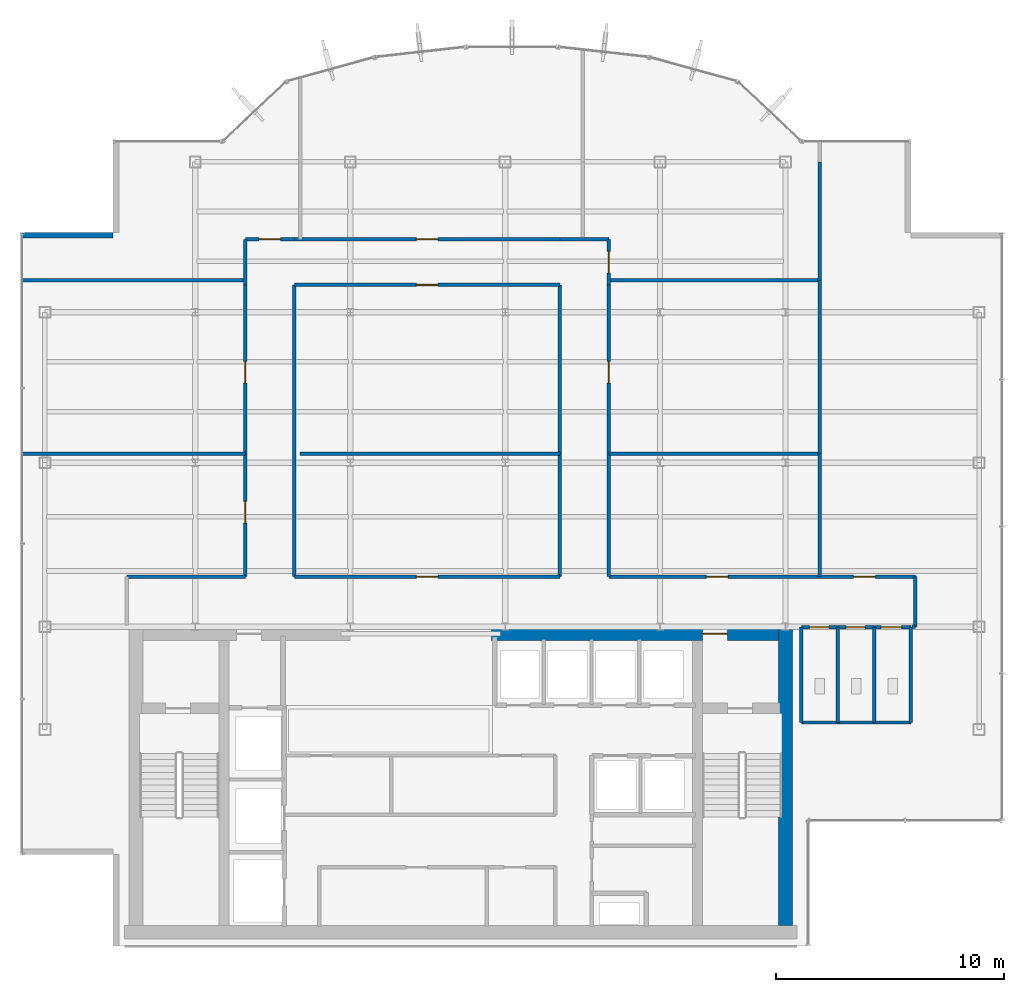
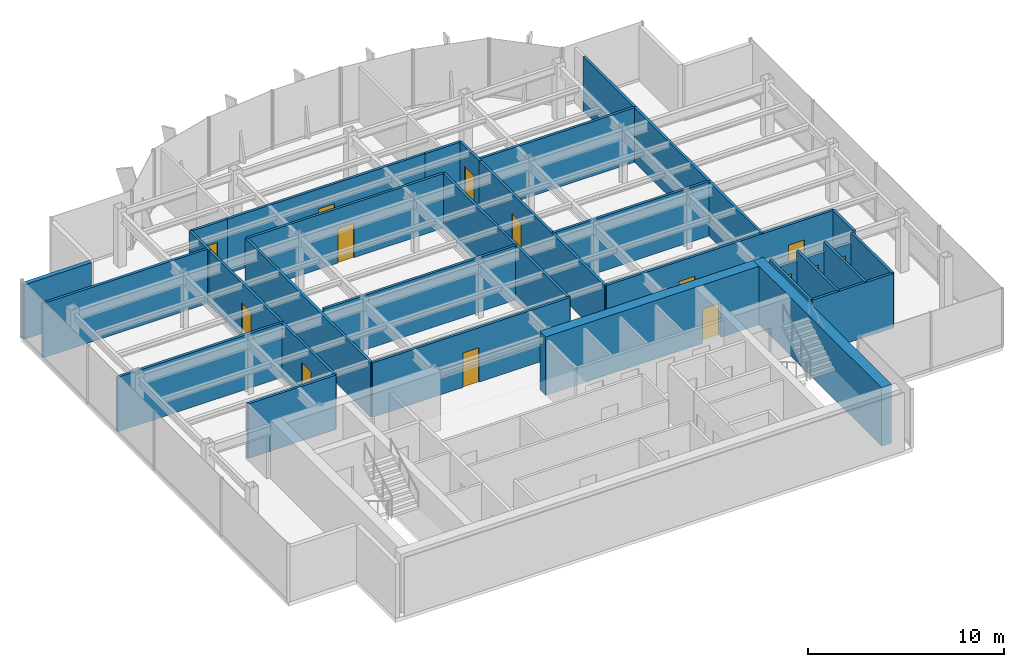
# One storey, part 18 of 22: 32 walls, 14 doors, 14 openings.
"""IFC4 building model written with IfcOpenShell, lengths in metres."""

from ifc_helpers import new_model, si_unit, derived_unit, direction, frame, frame_2d, origin, place, context, subcontext, project, spatial, rectangle, extrude, source, transform, mapped, material, layer, layer_set, type_object, element, fill, save


model = new_model("IFC4")

# Units and contexts
model_context = context("Model", 3, precision=1e-05, world=origin(), true_north=direction((0.0, 1.0)))
body_context = subcontext(model_context, "Body", "Model", "MODEL_VIEW")
ifc_project = project(units=[si_unit("LENGTHUNIT", "METRE"), si_unit("AREAUNIT", "SQUARE_METRE"), si_unit("VOLUMEUNIT", "CUBIC_METRE"), si_unit("PLANEANGLEUNIT", "RADIAN"), si_unit("MASSUNIT", "GRAM", prefix="KILO"), derived_unit("THERMALTRANSMITTANCEUNIT", [(si_unit("POWERUNIT", "WATT"), 1), (si_unit("LENGTHUNIT", "METRE"), -2), (si_unit("THERMODYNAMICTEMPERATUREUNIT", "KELVIN"), -1)])], contexts=[model_context])

# Site, building, storey
site_placement = place(None, origin())
site = spatial("IfcSite", under=ifc_project, at=site_placement, CompositionType="ELEMENT")
building_placement = place(site_placement, origin())
building = spatial("IfcBuilding", under=site, at=building_placement, Name="Skarnbrae Concourse Arena and Tower", CompositionType="ELEMENT")
storey_placement = place(building_placement, frame((0.0, 0.0, 277.050048828125)))
storey = spatial("IfcBuildingStorey", under=building, at=storey_placement, Name="L72", CompositionType="ELEMENT", Elevation=277.050048828125)

# Wall
ifc_material_1 = material(Name="Concrete 50 MPa (C50/60)", Category="concrete")
ifc_layer_1 = layer(ifc_material_1, 0.60009765625)
ifc_layer_set_1 = layer_set([ifc_layer_1], Name="Concrete 50 MPa (C50/60)")
wall_type_1 = type_object("IfcWallType", Name="WALL-CORE-600-C50", PredefinedType="SHEAR", material=ifc_layer_set_1)
shared_shape_1 = source(origin(), body_context, "Body", "SweptSolid", [
    extrude(rectangle(XDim=13.10009765625, YDim=0.60009765625, at=frame_2d((6.550048828125, 0.0))), origin(), (0.0, 0.0, 1.0), 3.64990234375),
])
wall_1_placement = place(storey_placement, frame((33.5, 0.89990234375, 0.0), z_axis=(0.0, 0.0, 1.0), x_axis=(0.0, 1.0, 0.0)))
element("IfcWall", 1, at=wall_1_placement, inside=storey, type_object=wall_type_1, Name="L72 Rear core shear wall CW-E", PredefinedType="SHEAR", context=body_context, shape_type="MappedRepresentation", body=[
    mapped(shared_shape_1, transform((0.0, 0.0, 0.0))),
])

# Wall, opening, door
shared_shape_2 = source(origin(), body_context, "Body", "SweptSolid", [
    extrude(rectangle(XDim=12.599853515625, YDim=0.60009765625, at=frame_2d((6.2998046875, 0.0))), origin(), (0.0, 0.0, 1.0), 3.64990234375),
])
wall_2_placement = place(storey_placement, frame((20.60009765625, 13.699951171875, 0.0), z_axis=(0.0, 0.0, 1.0), x_axis=(1.0, 0.0, 0.0)))
wall_2 = element("IfcWall", 2, at=wall_2_placement, inside=storey, type_object=wall_type_1, Name="L72 Rear core shear wall CW-NE", PredefinedType="SHEAR", context=body_context, shape_type="MappedRepresentation", body=[
    mapped(shared_shape_2, transform((0.0, 0.0, 0.0))),
])
opening_1_placement = place(wall_2_placement, frame((9.25, 0.0, 0.0)))
opening_1 = element("IfcOpeningElement", 3, at=opening_1_placement, cuts=wall_2, Name="Opening DT-03", PredefinedType="OPENING", context=body_context, shape_type="SweptSolid", body=[
    extrude(rectangle(XDim=1.10009765625, YDim=2.14990234375, at=frame_2d((0.550048828125, 1.074951171875))), frame((0.0, 0.31005859375, 0.0), z_axis=(0.0, -1.0, 0.0), x_axis=(1.0, 0.0, 0.0)), (0.0, 0.0, 1.0), 0.6201171875),
])
ifc_material_2 = material(Name="Steel CSA G40.21 350W", Category="steel")
door_type_1 = type_object("IfcDoorType", Name="DOOR-FIRE-1100-90M", OperationType="NOTDEFINED", PredefinedType="DOOR", material=ifc_material_2)
shared_shape_3 = source(origin(), body_context, "Body", "SweptSolid", [
    extrude(rectangle(XDim=1.10009765625, YDim=2.14990234375, at=frame_2d((0.550048828125, 1.074951171875))), frame((0.0, 0.02490234375, 0.0), z_axis=(0.0, -1.0, 0.0), x_axis=(1.0, 0.0, 0.0)), (0.0, 0.0, 1.0), 0.050048828125),
])
door_1_placement = place(opening_1_placement, origin())
door_1 = element("IfcDoor", 4, at=door_1_placement, inside=storey, type_object=door_type_1, Name="D-2173 Stair ST-2 Vestibule Door", OperationType="SINGLE_SWING_LEFT", OverallHeight=2.14990234375, OverallWidth=1.10009765625, PredefinedType="DOOR", context=body_context, shape_type="MappedRepresentation", body=[
    mapped(shared_shape_3, transform((0.0, 0.0, 0.0))),
])
fill(opening_1, door_1)

# Walls
ifc_material_3 = material(Name="Precast concrete 40 MPa (C40/50)", Category="concrete")
ifc_layer_2 = layer(ifc_material_3, 0.25)
ifc_layer_set_2 = layer_set([ifc_layer_2], Name="Precast concrete 40 MPa (C40/50)")
wall_type_2 = type_object("IfcWallType", Name="WALL-EXT-SPANDREL-250", PredefinedType="STANDARD", material=ifc_layer_set_2)
shared_shape_4 = source(origin(), body_context, "Body", "SweptSolid", [
    extrude(rectangle(XDim=4.0, YDim=0.25, at=frame_2d((2.0, 0.0))), origin(), (0.0, 0.0, 1.0), 3.39990234375),
])
wall_3_placement = place(storey_placement, frame((4.0, 31.175048828125, 0.0), z_axis=(0.0, 0.0, 1.0), x_axis=(-1.0, 0.0, 0.0)))
element("IfcWall", 5, at=wall_3_placement, inside=storey, type_object=wall_type_2, Name="L72 Notched corner insulated return wall 17", PredefinedType="STANDARD", context=body_context, shape_type="MappedRepresentation", body=[
    mapped(shared_shape_4, transform((0.0, 0.0, 0.0))),
])
ifc_material_4 = material(Name="Gypsum board on cold-formed steel studs", Category="steel")
ifc_layer_3 = layer(ifc_material_4, 0.14990234375)
ifc_layer_set_3 = layer_set([ifc_layer_3], Name="Gypsum board on cold-formed steel studs")
wall_type_3 = type_object("IfcWallType", Name="WALL-PART-150", PredefinedType="PARTITIONING", material=ifc_layer_set_3)
shared_shape_5 = source(origin(), body_context, "Body", "SweptSolid", [
    extrude(rectangle(XDim=4.800048828125, YDim=0.14990234375, at=frame_2d((2.39990234375, 0.0))), origin(), (0.0, 0.0, 1.0), 3.39990234375),
])
wall_4_placement = place(storey_placement, frame((34.199951171875, 9.800048828125, 0.0), z_axis=(0.0, 0.0, 1.0), x_axis=(1.0, 0.0, 0.0)))
element("IfcWall", 6, at=wall_4_placement, inside=storey, type_object=wall_type_3, Name="L72 Interior partition wall W-L72-WC-S", PredefinedType="PARTITIONING", context=body_context, shape_type="MappedRepresentation", body=[
    mapped(shared_shape_5, transform((0.0, 0.0, 0.0))),
])
shared_shape_6 = source(origin(), body_context, "Body", "SweptSolid", [
    extrude(rectangle(XDim=4.179931640625, YDim=0.14990234375, at=frame_2d((2.08984375, 0.0))), origin(), (0.0, 0.0, 1.0), 3.39990234375),
])
for number, where, z_axis, x_axis, name in (
    (7, (39.0, 9.800048828125, 0.0), (0.0, 0.0, 1.0), (0.0, 1.0, 0.0), "L72 Interior partition wall W-L72-WC-E"),
    (8, (34.199951171875, 9.800048828125, 0.0), (0.0, 0.0, 1.0), (0.0, 1.0, 0.0), "L72 Interior partition wall W-L72-WC-W"),
    (9, (35.800048828125, 9.800048828125, 0.0), (0.0, 0.0, 1.0), (0.0, 1.0, 0.0), "L72 Interior partition wall W-L72-WC-D1"),
    (10, (37.39990234375, 9.800048828125, 0.0), (0.0, 0.0, 1.0), (0.0, 1.0, 0.0), "L72 Interior partition wall W-L72-WC-D2"),
):
    element("IfcWall", number, at=place(storey_placement, frame(where, z_axis=z_axis, x_axis=x_axis)), inside=storey, type_object=wall_type_3, Name=name, PredefinedType="PARTITIONING", context=body_context, shape_type="MappedRepresentation", body=[
        mapped(shared_shape_6, transform((0.0, 0.0, 0.0))),
    ])
ifc_layer_4 = layer(ifc_material_4, 0.14990234375)
ifc_layer_set_4 = layer_set([ifc_layer_4], Name="Gypsum board on cold-formed steel studs")
wall_type_4 = type_object("IfcWallType", Name="WALL-PART-150-1HR", PredefinedType="PARTITIONING", material=ifc_layer_set_4)
shared_shape_7 = source(origin(), body_context, "Body", "SweptSolid", [
    extrude(rectangle(XDim=2.199951171875, YDim=0.14990234375, at=frame_2d((1.10009765625, 0.0))), origin(), (0.0, 0.0, 1.0), 3.39990234375),
])
wall_5_placement = place(storey_placement, frame((39.199951171875, 16.199951171875, 0.0), z_axis=(0.0, 0.0, 1.0), x_axis=(0.0, -1.0, 0.0)))
element("IfcWall", 11, at=wall_5_placement, inside=storey, type_object=wall_type_4, Name="L72 Interior partition wall W-L72-COR-11", PredefinedType="PARTITIONING", context=body_context, shape_type="MappedRepresentation", body=[
    mapped(shared_shape_7, transform((0.0, 0.0, 0.0))),
])
shared_shape_8 = source(origin(), body_context, "Body", "SweptSolid", [
    extrude(rectangle(XDim=5.199951171875, YDim=0.14990234375, at=frame_2d((2.60009765625, 0.0))), origin(), (0.0, 0.0, 1.0), 3.39990234375),
])
wall_6_placement = place(storey_placement, frame((4.60009765625, 16.199951171875, 0.0), z_axis=(0.0, 0.0, 1.0), x_axis=(1.0, 0.0, 0.0)))
element("IfcWall", 12, at=wall_6_placement, inside=storey, type_object=wall_type_4, Name="L72 Interior partition wall W-L72-COR-02", PredefinedType="PARTITIONING", context=body_context, shape_type="MappedRepresentation", body=[
    mapped(shared_shape_8, transform((0.0, 0.0, 0.0))),
])
wall_7_placement = place(storey_placement, frame((35.0, 34.39990234375, 0.0), z_axis=(0.0, 0.0, 1.0), x_axis=(0.0, -1.0, 0.0)))
element("IfcWall", 13, at=wall_7_placement, inside=storey, type_object=wall_type_3, Name="L72 Interior partition wall W-L72-DEM-29", PredefinedType="PARTITIONING", context=body_context, shape_type="MappedRepresentation", body=[
    mapped(shared_shape_8, transform((0.0, 0.0, 0.0))),
])

# Wall, openings, doors
shared_shape_9 = source(origin(), body_context, "Body", "SweptSolid", [
    extrude(rectangle(XDim=4.800048828125, YDim=0.14990234375, at=frame_2d((2.39990234375, 0.0))), origin(), (0.0, 0.0, 1.0), 2.786865234375),
])
wall_8_placement = place(storey_placement, frame((34.199951171875, 13.97998046875, 0.0), z_axis=(0.0, 0.0, 1.0), x_axis=(1.0, 0.0, 0.0)))
wall_8 = element("IfcWall", 14, at=wall_8_placement, inside=storey, type_object=wall_type_3, Name="L72 Interior partition wall W-L72-WC-N", PredefinedType="PARTITIONING", context=body_context, shape_type="MappedRepresentation", body=[
    mapped(shared_shape_9, transform((0.0, 0.0, 0.0))),
])
opening_2_placement = place(wall_8_placement, frame((0.35009765625, 0.0, 0.0)))
opening_2 = element("IfcOpeningElement", 15, at=opening_2_placement, cuts=wall_8, Name="Opening DT-06", PredefinedType="OPENING", context=body_context, shape_type="SweptSolid", body=[
    extrude(rectangle(XDim=0.85009765625, YDim=2.10009765625, at=frame_2d((0.425048828125, 1.050048828125))), frame((0.0, 0.0849609375, 0.0), z_axis=(0.0, -1.0, 0.0), x_axis=(1.0, 0.0, 0.0)), (0.0, 0.0, 1.0), 0.169921875),
])
opening_3_placement = place(wall_8_placement, frame((1.949951171875, 0.0, 0.0)))
opening_3 = element("IfcOpeningElement", 16, at=opening_3_placement, cuts=wall_8, Name="Opening DT-06", PredefinedType="OPENING", context=body_context, shape_type="SweptSolid", body=[
    extrude(rectangle(XDim=0.85009765625, YDim=2.10009765625, at=frame_2d((0.425048828125, 1.050048828125))), frame((0.0, 0.0849609375, 0.0), z_axis=(0.0, -1.0, 0.0), x_axis=(1.0, 0.0, 0.0)), (0.0, 0.0, 1.0), 0.169921875),
])
opening_4_placement = place(wall_8_placement, frame((3.5, 0.0, 0.0)))
opening_4 = element("IfcOpeningElement", 17, at=opening_4_placement, cuts=wall_8, Name="Opening DT-05", PredefinedType="OPENING", context=body_context, shape_type="SweptSolid", body=[
    extrude(rectangle(XDim=0.89990234375, YDim=2.10009765625, at=frame_2d((0.449951171875, 1.050048828125))), frame((0.0, 0.0849609375, 0.0), z_axis=(0.0, -1.0, 0.0), x_axis=(1.0, 0.0, 0.0)), (0.0, 0.0, 1.0), 0.169921875),
])
ifc_material_5 = material(Name="Architectural oak veneer timber leaf", Category="wood")
door_type_2 = type_object("IfcDoorType", Name="DOOR-INT-850", OperationType="NOTDEFINED", PredefinedType="DOOR", material=ifc_material_5)
shared_shape_10 = source(origin(), body_context, "Body", "SweptSolid", [
    extrude(rectangle(XDim=0.85009765625, YDim=2.10009765625, at=frame_2d((0.425048828125, 1.050048828125))), frame((0.0, 0.02490234375, 0.0), z_axis=(0.0, -1.0, 0.0), x_axis=(1.0, 0.0, 0.0)), (0.0, 0.0, 1.0), 0.050048828125),
])
door_2_placement = place(opening_2_placement, frame((0.85009765625, 0.0, 0.0), z_axis=(0.0, 0.0, 1.0), x_axis=(-1.0, 0.0, 0.0)))
door_2 = element("IfcDoor", 18, at=door_2_placement, inside=storey, type_object=door_type_2, Name="D-2189 Male Washroom Door", OperationType="SINGLE_SWING_LEFT", OverallHeight=2.10009765625, OverallWidth=0.85009765625, PredefinedType="DOOR", context=body_context, shape_type="MappedRepresentation", body=[
    mapped(shared_shape_10, transform((0.0, 0.0, 0.0))),
])
fill(opening_2, door_2)
door_3_placement = place(opening_3_placement, frame((0.85009765625, 0.0, 0.0), z_axis=(0.0, 0.0, 1.0), x_axis=(-1.0, 0.0, 0.0)))
door_3 = element("IfcDoor", 19, at=door_3_placement, inside=storey, type_object=door_type_2, Name="D-2190 Female Washroom Door", OperationType="SINGLE_SWING_RIGHT", OverallHeight=2.10009765625, OverallWidth=0.85009765625, PredefinedType="DOOR", context=body_context, shape_type="MappedRepresentation", body=[
    mapped(shared_shape_10, transform((0.0, 0.0, 0.0))),
])
fill(opening_3, door_3)
door_type_3 = type_object("IfcDoorType", Name="DOOR-INT-900", OperationType="NOTDEFINED", PredefinedType="DOOR", material=ifc_material_5)
shared_shape_11 = source(origin(), body_context, "Body", "SweptSolid", [
    extrude(rectangle(XDim=0.89990234375, YDim=2.10009765625, at=frame_2d((0.449951171875, 1.050048828125))), frame((0.0, 0.02490234375, 0.0), z_axis=(0.0, -1.0, 0.0), x_axis=(1.0, 0.0, 0.0)), (0.0, 0.0, 1.0), 0.050048828125),
])
door_4_placement = place(opening_4_placement, frame((0.89990234375, 0.0, 0.0), z_axis=(0.0, 0.0, 1.0), x_axis=(-1.0, 0.0, 0.0)))
door_4 = element("IfcDoor", 20, at=door_4_placement, inside=storey, type_object=door_type_3, Name="D-2191 Accessible WC Door", OperationType="SINGLE_SWING_LEFT", OverallHeight=2.10009765625, OverallWidth=0.89990234375, PredefinedType="DOOR", context=body_context, shape_type="MappedRepresentation", body=[
    mapped(shared_shape_11, transform((0.0, 0.0, 0.0))),
])
fill(opening_4, door_4)

# Wall
shared_shape_12 = source(origin(), body_context, "Body", "SweptSolid", [
    extrude(rectangle(XDim=0.14990234375, YDim=0.14990234375, at=frame_2d((0.074951171875, 0.0))), origin(), (0.0, 0.0, 1.0), 3.39990234375),
])
wall_9_placement = place(storey_placement, frame((39.199951171875, 14.0, 0.0), z_axis=(0.0, 0.0, 1.0), x_axis=(-1.0, 0.0, 0.0)))
element("IfcWall", 21, at=wall_9_placement, inside=storey, type_object=wall_type_4, Name="L72 Interior partition wall W-L72-COR-12", PredefinedType="PARTITIONING", context=body_context, shape_type="MappedRepresentation", body=[
    mapped(shared_shape_12, transform((0.0, 0.0, 0.0))),
])

# Wall, openings, doors
shared_shape_13 = source(origin(), body_context, "Body", "SweptSolid", [
    extrude(rectangle(XDim=12.800048828125, YDim=0.14990234375, at=frame_2d((6.39990234375, 0.0))), origin(), (0.0, 0.0, 1.0), 3.39990234375),
])
wall_10_placement = place(storey_placement, frame((9.800048828125, 16.199951171875, 0.0), z_axis=(0.0, 0.0, 1.0), x_axis=(0.0, 1.0, 0.0)))
wall_10 = element("IfcWall", 22, at=wall_10_placement, inside=storey, type_object=wall_type_4, Name="L72 Interior partition wall W-L72-COR-03", PredefinedType="PARTITIONING", context=body_context, shape_type="MappedRepresentation", body=[
    mapped(shared_shape_13, transform((0.0, 0.0, 0.0))),
])
opening_5_placement = place(wall_10_placement, frame((2.35498046875, 0.0, 0.0)))
opening_5 = element("IfcOpeningElement", 23, at=opening_5_placement, cuts=wall_10, Name="Opening DT-04", PredefinedType="OPENING", context=body_context, shape_type="SweptSolid", body=[
    extrude(rectangle(XDim=0.949951171875, YDim=2.14990234375, at=frame_2d((0.47509765625, 1.074951171875))), frame((0.0, 0.0849609375, 0.0), z_axis=(0.0, -1.0, 0.0), x_axis=(1.0, 0.0, 0.0)), (0.0, 0.0, 1.0), 0.169921875),
])
opening_6_placement = place(wall_10_placement, frame((8.4951171875, 0.0, 0.0)))
opening_6 = element("IfcOpeningElement", 24, at=opening_6_placement, cuts=wall_10, Name="Opening DT-04", PredefinedType="OPENING", context=body_context, shape_type="SweptSolid", body=[
    extrude(rectangle(XDim=0.949951171875, YDim=2.14990234375, at=frame_2d((0.47509765625, 1.074951171875))), frame((0.0, 0.0849609375, 0.0), z_axis=(0.0, -1.0, 0.0), x_axis=(1.0, 0.0, 0.0)), (0.0, 0.0, 1.0), 0.169921875),
])
door_type_4 = type_object("IfcDoorType", Name="DOOR-INT-950-45M", OperationType="NOTDEFINED", PredefinedType="DOOR", material=ifc_material_2)
shared_shape_14 = source(origin(), body_context, "Body", "SweptSolid", [
    extrude(rectangle(XDim=0.949951171875, YDim=2.14990234375, at=frame_2d((0.47509765625, 1.074951171875))), frame((0.0, 0.02490234375, 0.0), z_axis=(0.0, -1.0, 0.0), x_axis=(1.0, 0.0, 0.0)), (0.0, 0.0, 1.0), 0.050048828125),
])
door_5_placement = place(opening_5_placement, origin())
door_5 = element("IfcDoor", 25, at=door_5_placement, inside=storey, type_object=door_type_4, Name="D-2192 L72 Suite Door 01", OperationType="SINGLE_SWING_RIGHT", OverallHeight=2.14990234375, OverallWidth=0.949951171875, PredefinedType="DOOR", context=body_context, shape_type="MappedRepresentation", body=[
    mapped(shared_shape_14, transform((0.0, 0.0, 0.0))),
])
fill(opening_5, door_5)
door_6_placement = place(opening_6_placement, origin())
door_6 = element("IfcDoor", 26, at=door_6_placement, inside=storey, type_object=door_type_4, Name="D-2193 L72 Suite Door 02", OperationType="SINGLE_SWING_LEFT", OverallHeight=2.14990234375, OverallWidth=0.949951171875, PredefinedType="DOOR", context=body_context, shape_type="MappedRepresentation", body=[
    mapped(shared_shape_14, transform((0.0, 0.0, 0.0))),
])
fill(opening_6, door_6)

# Wall, opening, door
wall_11_placement = place(storey_placement, frame((25.75, 29.0, 0.0), z_axis=(0.0, 0.0, 1.0), x_axis=(0.0, -1.0, 0.0)))
wall_11 = element("IfcWall", 27, at=wall_11_placement, inside=storey, type_object=wall_type_4, Name="L72 Interior partition wall W-L72-COR-09", PredefinedType="PARTITIONING", context=body_context, shape_type="MappedRepresentation", body=[
    mapped(shared_shape_13, transform((0.0, 0.0, 0.0))),
])
opening_7_placement = place(wall_11_placement, frame((3.35498046875, 0.0, 0.0)))
opening_7 = element("IfcOpeningElement", 28, at=opening_7_placement, cuts=wall_11, Name="Opening DT-04", PredefinedType="OPENING", context=body_context, shape_type="SweptSolid", body=[
    extrude(rectangle(XDim=0.949951171875, YDim=2.14990234375, at=frame_2d((0.47509765625, 1.074951171875))), frame((0.0, 0.0849609375, 0.0), z_axis=(0.0, -1.0, 0.0), x_axis=(1.0, 0.0, 0.0)), (0.0, 0.0, 1.0), 0.169921875),
])
door_7_placement = place(opening_7_placement, origin())
door_7 = element("IfcDoor", 29, at=door_7_placement, inside=storey, type_object=door_type_4, Name="D-2200 L72 Suite Door 09", OperationType="SINGLE_SWING_RIGHT", OverallHeight=2.14990234375, OverallWidth=0.949951171875, PredefinedType="DOOR", context=body_context, shape_type="MappedRepresentation", body=[
    mapped(shared_shape_14, transform((0.0, 0.0, 0.0))),
])
fill(opening_7, door_7)

# Walls
for number, where, z_axis, x_axis, name in (
    (30, (23.60009765625, 16.199951171875, 0.0), (0.0, 0.0, 1.0), (0.0, 1.0, 0.0), "L72 Interior partition wall W-L72-COR-14"),
    (31, (11.949951171875, 29.0, 0.0), (0.0, 0.0, 1.0), (0.0, -1.0, 0.0), "L72 Interior partition wall W-L72-COR-16"),
):
    element("IfcWall", number, at=place(storey_placement, frame(where, z_axis=z_axis, x_axis=x_axis)), inside=storey, type_object=wall_type_4, Name=name, PredefinedType="PARTITIONING", context=body_context, shape_type="MappedRepresentation", body=[
        mapped(shared_shape_13, transform((0.0, 0.0, 0.0))),
    ])
shared_shape_15 = source(origin(), body_context, "Body", "SweptSolid", [
    extrude(rectangle(XDim=11.400146484375, YDim=0.14990234375, at=frame_2d((5.7001953125, 0.0))), origin(), (0.0, 0.0, 1.0), 3.39990234375),
])
wall_12_placement = place(storey_placement, frame((23.60009765625, 21.60009765625, 0.0), z_axis=(0.0, 0.0, 1.0), x_axis=(-1.0, 0.0, 0.0)))
element("IfcWall", 32, at=wall_12_placement, inside=storey, type_object=wall_type_3, Name="L72 Interior partition wall W-L72-DEM-19", PredefinedType="PARTITIONING", context=body_context, shape_type="MappedRepresentation", body=[
    mapped(shared_shape_15, transform((0.0, 0.0, 0.0))),
])
shared_shape_16 = source(origin(), body_context, "Body", "SweptSolid", [
    extrude(rectangle(XDim=2.0, YDim=0.14990234375, at=frame_2d((1.0, 0.0))), origin(), (0.0, 0.0, 1.0), 3.39990234375),
])
wall_13_placement = place(storey_placement, frame((9.800048828125, 29.0, 0.0), z_axis=(0.0, 0.0, 1.0), x_axis=(0.0, 1.0, 0.0)))
element("IfcWall", 33, at=wall_13_placement, inside=storey, type_object=wall_type_4, Name="L72 Interior partition wall W-L72-COR-04", PredefinedType="PARTITIONING", context=body_context, shape_type="MappedRepresentation", body=[
    mapped(shared_shape_16, transform((0.0, 0.0, 0.0))),
])

# Wall, opening, door
wall_14_placement = place(storey_placement, frame((25.75, 31.0, 0.0), z_axis=(0.0, 0.0, 1.0), x_axis=(0.0, -1.0, 0.0)))
wall_14 = element("IfcWall", 34, at=wall_14_placement, inside=storey, type_object=wall_type_4, Name="L72 Interior partition wall W-L72-COR-08", PredefinedType="PARTITIONING", context=body_context, shape_type="MappedRepresentation", body=[
    mapped(shared_shape_16, transform((0.0, 0.0, 0.0))),
])
opening_8_placement = place(wall_14_placement, frame((0.52490234375, 0.0, 0.0)))
opening_8 = element("IfcOpeningElement", 35, at=opening_8_placement, cuts=wall_14, Name="Opening DT-04", PredefinedType="OPENING", context=body_context, shape_type="SweptSolid", body=[
    extrude(rectangle(XDim=0.949951171875, YDim=2.14990234375, at=frame_2d((0.47509765625, 1.074951171875))), frame((0.0, 0.0849609375, 0.0), z_axis=(0.0, -1.0, 0.0), x_axis=(1.0, 0.0, 0.0)), (0.0, 0.0, 1.0), 0.169921875),
])
door_8_placement = place(opening_8_placement, origin())
door_8 = element("IfcDoor", 36, at=door_8_placement, inside=storey, type_object=door_type_4, Name="D-2198 L72 Suite Door 07", OperationType="SINGLE_SWING_RIGHT", OverallHeight=2.14990234375, OverallWidth=0.949951171875, PredefinedType="DOOR", context=body_context, shape_type="MappedRepresentation", body=[
    mapped(shared_shape_14, transform((0.0, 0.0, 0.0))),
])
fill(opening_8, door_8)

# Wall
shared_shape_17 = source(origin(), body_context, "Body", "SweptSolid", [
    extrude(rectangle(XDim=7.599853515625, YDim=0.14990234375, at=frame_2d((3.7998046875, 0.0))), origin(), (0.0, 0.0, 1.0), 3.39990234375),
])
wall_15_placement = place(storey_placement, frame((35.0, 29.199951171875, 0.0), z_axis=(0.0, 0.0, 1.0), x_axis=(0.0, -1.0, 0.0)))
element("IfcWall", 37, at=wall_15_placement, inside=storey, type_object=wall_type_3, Name="L72 Interior partition wall W-L72-DEM-27", PredefinedType="PARTITIONING", context=body_context, shape_type="MappedRepresentation", body=[
    mapped(shared_shape_17, transform((0.0, 0.0, 0.0))),
])

# Wall, opening, door
shared_shape_18 = source(origin(), body_context, "Body", "SweptSolid", [
    extrude(rectangle(XDim=2.14990234375, YDim=0.14990234375, at=frame_2d((1.074951171875, 0.0))), origin(), (0.0, 0.0, 1.0), 3.39990234375),
])
wall_16_placement = place(storey_placement, frame((9.800048828125, 31.0, 0.0), z_axis=(0.0, 0.0, 1.0), x_axis=(1.0, 0.0, 0.0)))
wall_16 = element("IfcWall", 38, at=wall_16_placement, inside=storey, type_object=wall_type_4, Name="L72 Interior partition wall W-L72-COR-05", PredefinedType="PARTITIONING", context=body_context, shape_type="MappedRepresentation", body=[
    mapped(shared_shape_18, transform((0.0, 0.0, 0.0))),
])
opening_9_placement = place(wall_16_placement, frame((0.60009765625, 0.0, 0.0)))
opening_9 = element("IfcOpeningElement", 39, at=opening_9_placement, cuts=wall_16, Name="Opening DT-04", PredefinedType="OPENING", context=body_context, shape_type="SweptSolid", body=[
    extrude(rectangle(XDim=0.949951171875, YDim=2.14990234375, at=frame_2d((0.47509765625, 1.074951171875))), frame((0.0, 0.0849609375, 0.0), z_axis=(0.0, -1.0, 0.0), x_axis=(1.0, 0.0, 0.0)), (0.0, 0.0, 1.0), 0.169921875),
])
door_9_placement = place(opening_9_placement, origin())
door_9 = element("IfcDoor", 40, at=door_9_placement, inside=storey, type_object=door_type_4, Name="D-2194 L72 Suite Door 03", OperationType="SINGLE_SWING_RIGHT", OverallHeight=2.14990234375, OverallWidth=0.949951171875, PredefinedType="DOOR", context=body_context, shape_type="MappedRepresentation", body=[
    mapped(shared_shape_14, transform((0.0, 0.0, 0.0))),
])
fill(opening_9, door_9)

# Walls
wall_17_placement = place(storey_placement, frame((23.60009765625, 31.0, 0.0), z_axis=(0.0, 0.0, 1.0), x_axis=(1.0, 0.0, 0.0)))
element("IfcWall", 41, at=wall_17_placement, inside=storey, type_object=wall_type_4, Name="L72 Interior partition wall W-L72-COR-07", PredefinedType="PARTITIONING", context=body_context, shape_type="MappedRepresentation", body=[
    mapped(shared_shape_18, transform((0.0, 0.0, 0.0))),
])
shared_shape_19 = source(origin(), body_context, "Body", "SweptSolid", [
    extrude(rectangle(XDim=9.780029296875, YDim=0.14990234375, at=frame_2d((4.89013671875, 0.0))), origin(), (0.0, 0.0, 1.0), 3.39990234375),
])
for number, where, z_axis, x_axis, name in (
    (42, (0.02001953125, 21.60009765625, 0.0), (0.0, 0.0, 1.0), (1.0, 0.0, 0.0), "L72 Interior partition wall W-L72-DEM-17"),
    (43, (0.02001953125, 29.199951171875, 0.0), (0.0, 0.0, 1.0), (1.0, 0.0, 0.0), "L72 Interior partition wall W-L72-DEM-18"),
):
    element("IfcWall", number, at=place(storey_placement, frame(where, z_axis=z_axis, x_axis=x_axis)), inside=storey, type_object=wall_type_3, Name=name, PredefinedType="PARTITIONING", context=body_context, shape_type="MappedRepresentation", body=[
        mapped(shared_shape_19, transform((0.0, 0.0, 0.0))),
    ])

# Wall, opening, door
shared_shape_20 = source(origin(), body_context, "Body", "SweptSolid", [
    extrude(rectangle(XDim=11.650146484375, YDim=0.14990234375, at=frame_2d((5.8251953125, 0.0))), origin(), (0.0, 0.0, 1.0), 3.39990234375),
])
wall_18_placement = place(storey_placement, frame((11.949951171875, 31.0, 0.0), z_axis=(0.0, 0.0, 1.0), x_axis=(1.0, 0.0, 0.0)))
wall_18 = element("IfcWall", 44, at=wall_18_placement, inside=storey, type_object=wall_type_4, Name="L72 Interior partition wall W-L72-COR-06", PredefinedType="PARTITIONING", context=body_context, shape_type="MappedRepresentation", body=[
    mapped(shared_shape_20, transform((0.0, 0.0, 0.0))),
])
opening_10_placement = place(wall_18_placement, frame((5.35009765625, 0.0, 0.0)))
opening_10 = element("IfcOpeningElement", 45, at=opening_10_placement, cuts=wall_18, Name="Opening DT-04", PredefinedType="OPENING", context=body_context, shape_type="SweptSolid", body=[
    extrude(rectangle(XDim=0.949951171875, YDim=2.14990234375, at=frame_2d((0.47509765625, 1.074951171875))), frame((0.0, 0.0849609375, 0.0), z_axis=(0.0, -1.0, 0.0), x_axis=(1.0, 0.0, 0.0)), (0.0, 0.0, 1.0), 0.169921875),
])
door_10_placement = place(opening_10_placement, origin())
door_10 = element("IfcDoor", 46, at=door_10_placement, inside=storey, type_object=door_type_4, Name="D-2197 L72 Suite Door 06", OperationType="SINGLE_SWING_LEFT", OverallHeight=2.14990234375, OverallWidth=0.949951171875, PredefinedType="DOOR", context=body_context, shape_type="MappedRepresentation", body=[
    mapped(shared_shape_14, transform((0.0, 0.0, 0.0))),
])
fill(opening_10, door_10)

wall_19_placement = place(storey_placement, frame((11.949951171875, 16.199951171875, 0.0), z_axis=(0.0, 0.0, 1.0), x_axis=(1.0, 0.0, 0.0)))
wall_19 = element("IfcWall", 47, at=wall_19_placement, inside=storey, type_object=wall_type_4, Name="L72 Interior partition wall W-L72-COR-13", PredefinedType="PARTITIONING", context=body_context, shape_type="MappedRepresentation", body=[
    mapped(shared_shape_20, transform((0.0, 0.0, 0.0))),
])
opening_11_placement = place(wall_19_placement, frame((5.35009765625, 0.0, 0.0)))
opening_11 = element("IfcOpeningElement", 48, at=opening_11_placement, cuts=wall_19, Name="Opening DT-04", PredefinedType="OPENING", context=body_context, shape_type="SweptSolid", body=[
    extrude(rectangle(XDim=0.949951171875, YDim=2.14990234375, at=frame_2d((0.47509765625, 1.074951171875))), frame((0.0, 0.0849609375, 0.0), z_axis=(0.0, -1.0, 0.0), x_axis=(1.0, 0.0, 0.0)), (0.0, 0.0, 1.0), 0.169921875),
])
door_11_placement = place(opening_11_placement, origin())
door_11 = element("IfcDoor", 49, at=door_11_placement, inside=storey, type_object=door_type_4, Name="D-2196 L72 Suite Door 05", OperationType="SINGLE_SWING_RIGHT", OverallHeight=2.14990234375, OverallWidth=0.949951171875, PredefinedType="DOOR", context=body_context, shape_type="MappedRepresentation", body=[
    mapped(shared_shape_14, transform((0.0, 0.0, 0.0))),
])
fill(opening_11, door_11)

wall_20_placement = place(storey_placement, frame((23.60009765625, 29.0, 0.0), z_axis=(0.0, 0.0, 1.0), x_axis=(-1.0, 0.0, 0.0)))
wall_20 = element("IfcWall", 50, at=wall_20_placement, inside=storey, type_object=wall_type_4, Name="L72 Interior partition wall W-L72-COR-15", PredefinedType="PARTITIONING", context=body_context, shape_type="MappedRepresentation", body=[
    mapped(shared_shape_20, transform((0.0, 0.0, 0.0))),
])
opening_12_placement = place(wall_20_placement, frame((5.35009765625, 0.0, 0.0)))
opening_12 = element("IfcOpeningElement", 51, at=opening_12_placement, cuts=wall_20, Name="Opening DT-04", PredefinedType="OPENING", context=body_context, shape_type="SweptSolid", body=[
    extrude(rectangle(XDim=0.949951171875, YDim=2.14990234375, at=frame_2d((0.47509765625, 1.074951171875))), frame((0.0, 0.0849609375, 0.0), z_axis=(0.0, -1.0, 0.0), x_axis=(1.0, 0.0, 0.0)), (0.0, 0.0, 1.0), 0.169921875),
])
door_12_placement = place(opening_12_placement, origin())
door_12 = element("IfcDoor", 52, at=door_12_placement, inside=storey, type_object=door_type_4, Name="D-2195 L72 Suite Door 04", OperationType="SINGLE_SWING_LEFT", OverallHeight=2.14990234375, OverallWidth=0.949951171875, PredefinedType="DOOR", context=body_context, shape_type="MappedRepresentation", body=[
    mapped(shared_shape_14, transform((0.0, 0.0, 0.0))),
])
fill(opening_12, door_12)

# Wall, openings, doors
shared_shape_21 = source(origin(), body_context, "Body", "SweptSolid", [
    extrude(rectangle(XDim=13.449951171875, YDim=0.14990234375, at=frame_2d((6.72509765625, 0.0))), origin(), (0.0, 0.0, 1.0), 3.39990234375),
])
wall_21_placement = place(storey_placement, frame((25.75, 16.199951171875, 0.0), z_axis=(0.0, 0.0, 1.0), x_axis=(1.0, 0.0, 0.0)))
wall_21 = element("IfcWall", 53, at=wall_21_placement, inside=storey, type_object=wall_type_4, Name="L72 Interior partition wall W-L72-COR-10", PredefinedType="PARTITIONING", context=body_context, shape_type="MappedRepresentation", body=[
    mapped(shared_shape_21, transform((0.0, 0.0, 0.0))),
])
opening_13_placement = place(wall_21_placement, frame((4.280029296875, 0.0, 0.0)))
opening_13 = element("IfcOpeningElement", 54, at=opening_13_placement, cuts=wall_21, Name="Opening DT-04", PredefinedType="OPENING", context=body_context, shape_type="SweptSolid", body=[
    extrude(rectangle(XDim=0.949951171875, YDim=2.14990234375, at=frame_2d((0.47509765625, 1.074951171875))), frame((0.0, 0.0849609375, 0.0), z_axis=(0.0, -1.0, 0.0), x_axis=(1.0, 0.0, 0.0)), (0.0, 0.0, 1.0), 0.169921875),
])
opening_14_placement = place(wall_21_placement, frame((10.7451171875, 0.0, 0.0)))
opening_14 = element("IfcOpeningElement", 55, at=opening_14_placement, cuts=wall_21, Name="Opening DT-04", PredefinedType="OPENING", context=body_context, shape_type="SweptSolid", body=[
    extrude(rectangle(XDim=0.949951171875, YDim=2.14990234375, at=frame_2d((0.47509765625, 1.074951171875))), frame((0.0, 0.0849609375, 0.0), z_axis=(0.0, -1.0, 0.0), x_axis=(1.0, 0.0, 0.0)), (0.0, 0.0, 1.0), 0.169921875),
])
door_13_placement = place(opening_13_placement, origin())
door_13 = element("IfcDoor", 56, at=door_13_placement, inside=storey, type_object=door_type_4, Name="D-2199 L72 Suite Door 08", OperationType="SINGLE_SWING_LEFT", OverallHeight=2.14990234375, OverallWidth=0.949951171875, PredefinedType="DOOR", context=body_context, shape_type="MappedRepresentation", body=[
    mapped(shared_shape_14, transform((0.0, 0.0, 0.0))),
])
fill(opening_13, door_13)
door_14_placement = place(opening_14_placement, origin())
door_14 = element("IfcDoor", 57, at=door_14_placement, inside=storey, type_object=door_type_4, Name="D-2201 L72 Suite Door 10", OperationType="SINGLE_SWING_LEFT", OverallHeight=2.14990234375, OverallWidth=0.949951171875, PredefinedType="DOOR", context=body_context, shape_type="MappedRepresentation", body=[
    mapped(shared_shape_14, transform((0.0, 0.0, 0.0))),
])
fill(opening_14, door_14)

# Walls
shared_shape_22 = source(origin(), body_context, "Body", "SweptSolid", [
    extrude(rectangle(XDim=9.25, YDim=0.14990234375, at=frame_2d((4.625, 0.0))), origin(), (0.0, 0.0, 1.0), 3.39990234375),
])
for number, where, z_axis, x_axis, name in (
    (58, (25.75, 21.60009765625, 0.0), (0.0, 0.0, 1.0), (1.0, 0.0, 0.0), "L72 Interior partition wall W-L72-DEM-24"),
    (59, (35.0, 29.199951171875, 0.0), (0.0, 0.0, 1.0), (-1.0, 0.0, 0.0), "L72 Interior partition wall W-L72-DEM-25"),
):
    element("IfcWall", number, at=place(storey_placement, frame(where, z_axis=z_axis, x_axis=x_axis)), inside=storey, type_object=wall_type_3, Name=name, PredefinedType="PARTITIONING", context=body_context, shape_type="MappedRepresentation", body=[
        mapped(shared_shape_22, transform((0.0, 0.0, 0.0))),
    ])
shared_shape_23 = source(origin(), body_context, "Body", "SweptSolid", [
    extrude(rectangle(XDim=5.400146484375, YDim=0.14990234375, at=frame_2d((2.7001953125, 0.0))), origin(), (0.0, 0.0, 1.0), 3.39990234375),
])
wall_22_placement = place(storey_placement, frame((35.0, 21.60009765625, 0.0), z_axis=(0.0, 0.0, 1.0), x_axis=(0.0, -1.0, 0.0)))
element("IfcWall", 60, at=wall_22_placement, inside=storey, type_object=wall_type_3, Name="L72 Interior partition wall W-L72-DEM-26", PredefinedType="PARTITIONING", context=body_context, shape_type="MappedRepresentation", body=[
    mapped(shared_shape_23, transform((0.0, 0.0, 0.0))),
])

save(model, "model.ifc")
